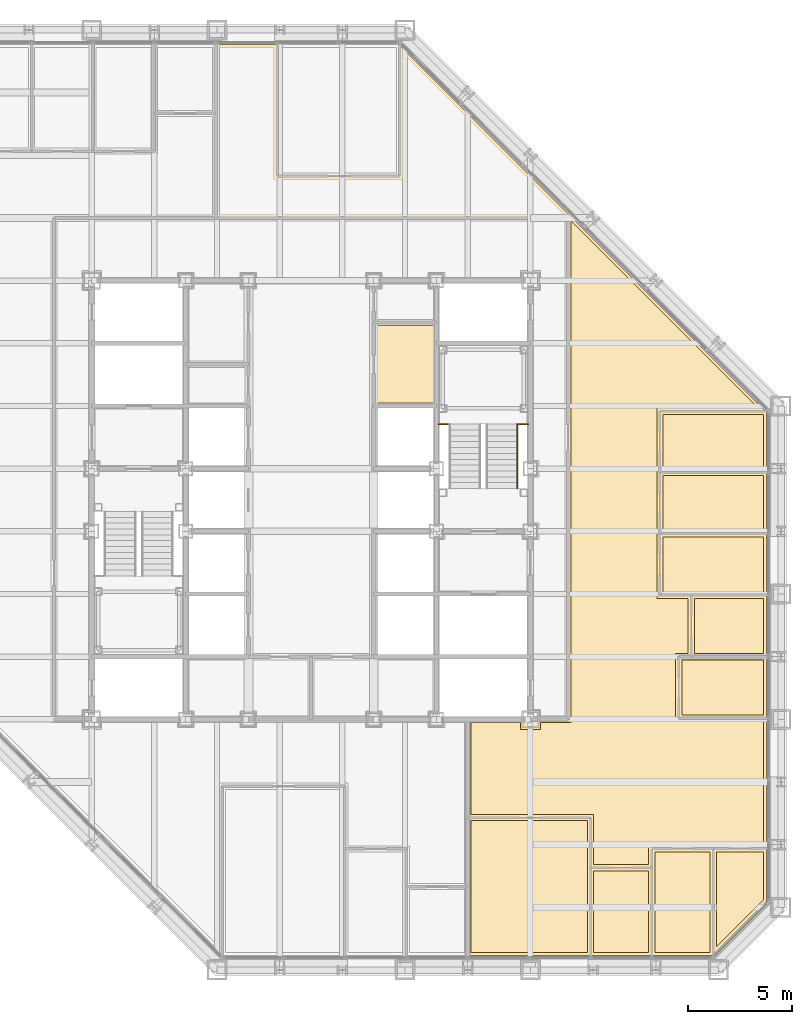
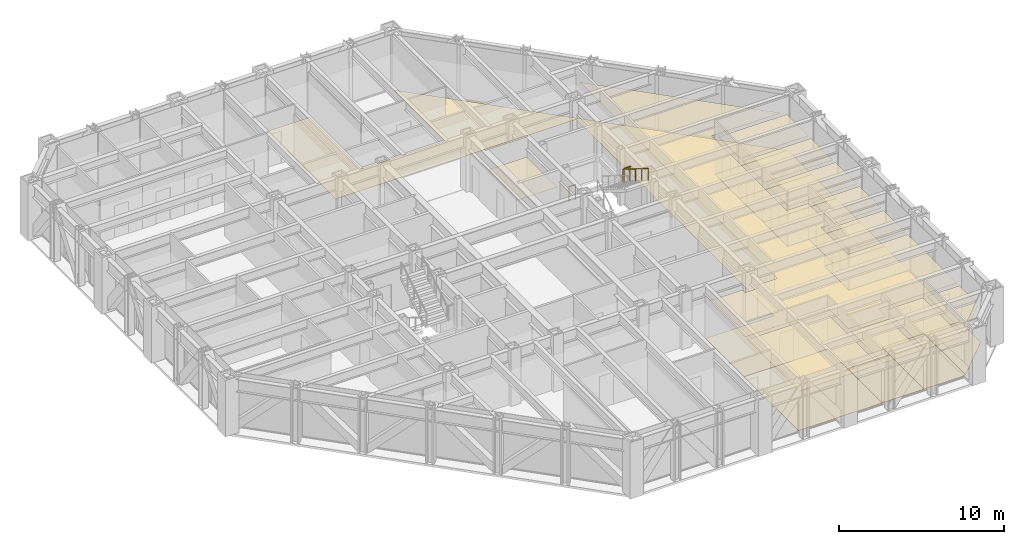
# One storey, part 15 of 16: 21 coverings, 3 railings.
"""IFC4 building model written with IfcOpenShell, lengths in metres."""

from ifc_helpers import new_model, si_unit, direction, frame, origin, origin_2d, place, context, subcontext, project, spatial, polyline, circle, outline, extrude, material, layer, layer_set, type_object, element, save


model = new_model("IFC4")

# Units and contexts
model_context = context("Model", 3, precision=1e-05, world=origin(), true_north=direction((0.0, 1.0)))
body_context = subcontext(model_context, "Body", "Model", "MODEL_VIEW")
ifc_project = project(units=[si_unit("LENGTHUNIT", "METRE"), si_unit("AREAUNIT", "SQUARE_METRE"), si_unit("VOLUMEUNIT", "CUBIC_METRE"), si_unit("PLANEANGLEUNIT", "RADIAN"), si_unit("MASSUNIT", "GRAM", prefix="KILO")], contexts=[model_context])

# Site, building, storey
site_placement = place(None, origin())
site = spatial("IfcSite", under=ifc_project, at=site_placement, CompositionType="ELEMENT")
building_placement = place(site_placement, origin())
building = spatial("IfcBuilding", under=site, at=building_placement, Name="Chuquiago Exchange Tower", CompositionType="ELEMENT")
storey_placement = place(building_placement, frame((0.0, 0.0, 123.60009765625)))
storey = spatial("IfcBuildingStorey", under=building, at=storey_placement, Name="L26", CompositionType="ELEMENT", Elevation=123.60009765625)

# Coverings
ifc_material_1 = material(Name="Mineral fibre tile, 600 x 600, on pale metal grid", Category="mineral fibre")
ifc_layer_1 = layer(ifc_material_1, 0.02001953125)
ifc_layer_set_1 = layer_set([ifc_layer_1], Name="CL1 suspended tile ceiling 20")
covering_type_1 = type_object("IfcCoveringType", Name="CL1 suspended tile ceiling 20", PredefinedType="CEILING", material=ifc_layer_set_1)
covering_1_placement = place(storey_placement, frame((0.0, 0.0, 2.7998046875)))
element("IfcCovering", 1, at=covering_1_placement, inside=storey, type_object=covering_type_1, Name="Ceiling Market data room", PredefinedType="CEILING", context=body_context, shape_type="SweptSolid", body=[
    extrude(outline(polyline([(30.14990234375, 7.14990234375), (35.7255859375, 7.14990234375), (35.7255859375, 0.85009765625), (30.14990234375, 0.85009765625), (30.14990234375, 7.14990234375)])), origin(), (0.0, 0.0, 1.0), 0.02001953125),
])
covering_2_placement = place(storey_placement, frame((0.0, 0.0, 2.7998046875)))
element("IfcCovering", 2, at=covering_2_placement, inside=storey, type_object=covering_type_1, Name="Ceiling Comms room", PredefinedType="CEILING", context=body_context, shape_type="SweptSolid", body=[
    extrude(outline(polyline([(36.025634765625, 4.75), (38.66357421875, 4.75), (38.66357421875, 0.85009765625), (36.025634765625, 0.85009765625), (36.025634765625, 4.75)])), origin(), (0.0, 0.0, 1.0), 0.02001953125),
])
covering_3_placement = place(storey_placement, frame((0.0, 0.0, 2.7998046875)))
element("IfcCovering", 3, at=covering_3_placement, inside=storey, type_object=covering_type_1, Name="Ceiling Office", PredefinedType="CEILING", context=body_context, shape_type="SweptSolid", body=[
    extrude(outline(polyline([(38.963623046875, 0.85009765625), (38.963623046875, 5.64990234375), (41.6015625, 5.64990234375), (41.6015625, 0.85009765625), (38.963623046875, 0.85009765625)])), origin(), (0.0, 0.0, 1.0), 0.02001953125),
])
covering_4_placement = place(storey_placement, frame((0.0, 0.0, 2.7998046875)))
element("IfcCovering", 4, at=covering_4_placement, inside=storey, type_object=covering_type_1, Name="Ceiling Office", PredefinedType="CEILING", context=body_context, shape_type="SweptSolid", body=[
    extrude(outline(polyline([(41.901611328125, 1.103515625), (41.901611328125, 5.64990234375), (44.14990234375, 5.64990234375), (44.14990234375, 3.35205078125), (41.901611328125, 1.103515625)])), origin(), (0.0, 0.0, 1.0), 0.02001953125),
])
covering_5_placement = place(storey_placement, frame((0.0, 0.0, 2.7998046875)))
element("IfcCovering", 5, at=covering_5_placement, inside=storey, type_object=covering_type_1, Name="Ceiling Comms room", PredefinedType="CEILING", context=body_context, shape_type="SweptSolid", body=[
    extrude(outline(polyline([(40.25, 12.212158203125), (40.25, 14.85009765625), (44.14990234375, 14.85009765625), (44.14990234375, 12.212158203125), (40.25, 12.212158203125)])), origin(), (0.0, 0.0, 1.0), 0.02001953125),
])
covering_6_placement = place(storey_placement, frame((0.0, 0.0, 2.7998046875)))
element("IfcCovering", 6, at=covering_6_placement, inside=storey, type_object=covering_type_1, Name="Ceiling Store", PredefinedType="CEILING", context=body_context, shape_type="SweptSolid", body=[
    extrude(outline(polyline([(40.85009765625, 15.14990234375), (40.85009765625, 17.787841796875), (44.14990234375, 17.787841796875), (44.14990234375, 15.14990234375), (40.85009765625, 15.14990234375)])), origin(), (0.0, 0.0, 1.0), 0.02001953125),
])
covering_7_placement = place(storey_placement, frame((0.0, 0.0, 2.7998046875)))
element("IfcCovering", 7, at=covering_7_placement, inside=storey, type_object=covering_type_1, Name="Ceiling Office", PredefinedType="CEILING", context=body_context, shape_type="SweptSolid", body=[
    extrude(outline(polyline([(39.35009765625, 18.087890625), (39.35009765625, 20.7255859375), (44.14990234375, 20.7255859375), (44.14990234375, 18.087890625), (39.35009765625, 18.087890625)])), origin(), (0.0, 0.0, 1.0), 0.02001953125),
])
covering_8_placement = place(storey_placement, frame((0.0, 0.0, 2.7998046875)))
element("IfcCovering", 8, at=covering_8_placement, inside=storey, type_object=covering_type_1, Name="Ceiling Office", PredefinedType="CEILING", context=body_context, shape_type="SweptSolid", body=[
    extrude(outline(polyline([(39.35009765625, 21.025634765625), (39.35009765625, 23.66357421875), (44.14990234375, 23.66357421875), (44.14990234375, 21.025634765625), (39.35009765625, 21.025634765625)])), origin(), (0.0, 0.0, 1.0), 0.02001953125),
])
covering_9_placement = place(storey_placement, frame((0.0, 0.0, 2.7998046875)))
element("IfcCovering", 9, at=covering_9_placement, inside=storey, type_object=covering_type_1, Name="Ceiling Office", PredefinedType="CEILING", context=body_context, shape_type="SweptSolid", body=[
    extrude(outline(polyline([(44.14990234375, 23.963623046875), (39.35009765625, 23.963623046875), (39.35009765625, 26.6015625), (44.14990234375, 26.6015625), (44.14990234375, 23.963623046875)])), origin(), (0.0, 0.0, 1.0), 0.02001953125),
])
covering_10_placement = place(storey_placement, frame((0.0, 0.0, 2.7998046875)))
element("IfcCovering", 10, at=covering_10_placement, inside=storey, type_object=covering_type_1, Name="Ceiling Open office east suite", PredefinedType="CEILING", context=body_context, shape_type="SweptSolid", body=[
    extrude(outline(polyline([(43.896484375, 26.901611328125), (39.050048828125, 26.901611328125), (39.050048828125, 17.787841796875), (40.550048828125, 17.787841796875), (40.550048828125, 15.14990234375), (39.949951171875, 15.14990234375), (39.949951171875, 11.912109375), (44.14990234375, 11.912109375), (44.14990234375, 5.949951171875), (38.66357421875, 5.949951171875), (38.66357421875, 5.050048828125), (36.025634765625, 5.050048828125), (36.025634765625, 7.449951171875), (30.150390625, 7.449951171875), (30.150390625, 11.85009765625), (32.52490234375, 11.849853515625), (32.52490234375, 11.52490234375), (33.47509765625, 11.52490234375), (33.47509765625, 11.849853515625), (34.950439453125, 11.849853515625), (34.950439453125, 35.847412109375), (43.896484375, 26.901611328125)])), origin(), (0.0, 0.0, 1.0), 0.02001953125),
])
ifc_material_2 = material(Name="Moisture resistant plasterboard on metal frame", Category="gypsum")
ifc_layer_2 = layer(ifc_material_2, 0.014892578125)
ifc_layer_set_2 = layer_set([ifc_layer_2], Name="CL2 moisture resistant ceiling 15")
covering_type_2 = type_object("IfcCoveringType", Name="CL2 moisture resistant ceiling 15", PredefinedType="CEILING", material=ifc_layer_set_2)
covering_11_placement = place(storey_placement, frame((0.0, 0.0, 2.599853515625)))
element("IfcCovering", 11, at=covering_11_placement, inside=storey, type_object=covering_type_2, Name="Ceiling Female WC", PredefinedType="CEILING", context=body_context, shape_type="SweptSolid", body=[
    extrude(outline(polyline([(25.64990234375, 27.14990234375), (25.64990234375, 30.85009765625), (28.35009765625, 30.85009765625), (28.35009765625, 27.14990234375), (25.64990234375, 27.14990234375)])), origin(), (0.0, 0.0, 1.0), 0.01513671875),
])
ifc_material_3 = material(Name="Carpet tile, 500 x 500, on the floor slab", Category="textile")
ifc_layer_3 = layer(ifc_material_3, 0.010009765625)
ifc_layer_set_3 = layer_set([ifc_layer_3], Name="FL1 carpet tile 10")
covering_type_3 = type_object("IfcCoveringType", Name="FL1 carpet tile 10", PredefinedType="FLOORING", material=ifc_layer_set_3)
covering_12_placement = place(storey_placement, origin())
element("IfcCovering", 12, at=covering_12_placement, inside=storey, type_object=covering_type_3, Name="Floor finish Market data room", PredefinedType="FLOORING", context=body_context, shape_type="SweptSolid", body=[
    extrude(outline(polyline([(30.0, 0.699951171875), (30.0, 7.300048828125), (35.875732421875, 7.300048828125), (35.875732421875, 0.699951171875), (30.0, 0.699951171875)])), origin(), (0.0, 0.0, 1.0), 0.010009765625),
])
covering_13_placement = place(storey_placement, origin())
element("IfcCovering", 13, at=covering_13_placement, inside=storey, type_object=covering_type_3, Name="Floor finish Office", PredefinedType="FLOORING", context=body_context, shape_type="SweptSolid", body=[
    extrude(outline(polyline([(41.710205078125, 0.699951171875), (38.813720703125, 0.699951171875), (38.813720703125, 5.800048828125), (41.75146484375, 5.800048828125), (41.75146484375, 0.741455078125), (41.710205078125, 0.699951171875)])), origin(), (0.0, 0.0, 1.0), 0.010009765625),
])
covering_14_placement = place(storey_placement, origin())
element("IfcCovering", 14, at=covering_14_placement, inside=storey, type_object=covering_type_3, Name="Floor finish Office", PredefinedType="FLOORING", context=body_context, shape_type="SweptSolid", body=[
    extrude(outline(polyline([(44.300048828125, 3.289794921875), (41.75146484375, 0.741455078125), (41.75146484375, 5.800048828125), (44.300048828125, 5.800048828125), (44.300048828125, 3.289794921875)])), origin(), (0.0, 0.0, 1.0), 0.010009765625),
])
covering_15_placement = place(storey_placement, origin())
element("IfcCovering", 15, at=covering_15_placement, inside=storey, type_object=covering_type_3, Name="Floor finish Office", PredefinedType="FLOORING", context=body_context, shape_type="SweptSolid", body=[
    extrude(outline(polyline([(44.300048828125, 17.93798828125), (39.199951171875, 17.93798828125), (39.199951171875, 20.875732421875), (44.300048828125, 20.875732421875), (44.300048828125, 17.93798828125)])), origin(), (0.0, 0.0, 1.0), 0.010009765625),
])
covering_16_placement = place(storey_placement, origin())
element("IfcCovering", 16, at=covering_16_placement, inside=storey, type_object=covering_type_3, Name="Floor finish Office", PredefinedType="FLOORING", context=body_context, shape_type="SweptSolid", body=[
    extrude(outline(polyline([(44.300048828125, 20.875732421875), (39.199951171875, 20.875732421875), (39.199951171875, 23.813720703125), (44.300048828125, 23.813720703125), (44.300048828125, 20.875732421875)])), origin(), (0.0, 0.0, 1.0), 0.010009765625),
])
covering_17_placement = place(storey_placement, origin())
element("IfcCovering", 17, at=covering_17_placement, inside=storey, type_object=covering_type_3, Name="Floor finish Office", PredefinedType="FLOORING", context=body_context, shape_type="SweptSolid", body=[
    extrude(outline(polyline([(44.300048828125, 26.710205078125), (44.300048828125, 23.813720703125), (39.199951171875, 23.813720703125), (39.199951171875, 26.75146484375), (44.258544921875, 26.75146484375), (44.300048828125, 26.710205078125)])), origin(), (0.0, 0.0, 1.0), 0.010009765625),
])
covering_18_placement = place(storey_placement, origin())
element("IfcCovering", 18, at=covering_18_placement, inside=storey, type_object=covering_type_3, Name="Floor finish Open office east suite", PredefinedType="FLOORING", context=body_context, shape_type="SweptSolid", body=[
    extrude(outline(polyline([(20.875732421875, 44.300048828125), (20.875732421875, 38.0), (26.75146484375, 38.0), (26.75146484375, 44.258544921875), (44.258544921875, 26.75146484375), (39.199951171875, 26.75146484375), (39.199951171875, 17.93798828125), (40.699951171875, 17.93798828125), (40.699951171875, 15.0), (40.10009765625, 15.0), (40.10009765625, 12.06201171875), (44.300048828125, 12.06201171875), (44.300048828125, 5.800048828125), (38.813720703125, 5.800048828125), (38.813720703125, 4.89990234375), (35.875732421875, 4.89990234375), (35.875732421875, 7.300048828125), (30.00048828125, 7.300048828125), (30.00048828125, 12.0), (34.800537109375, 12.0), (34.800537109375, 36.0), (17.9384765625, 36.00048828125), (17.9384765625, 44.300048828125), (20.875732421875, 44.300048828125)])), origin(), (0.0, 0.0, 1.0), 0.010009765625),
])
ifc_material_4 = material(Name="Porcelain floor tile, 600 x 600, on adhesive bed", Category="ceramic")
ifc_layer_4 = layer(ifc_material_4, 0.014892578125)
ifc_layer_set_4 = layer_set([ifc_layer_4], Name="FL2 porcelain tile 15")
covering_type_4 = type_object("IfcCoveringType", Name="FL2 porcelain tile 15", PredefinedType="FLOORING", material=ifc_layer_set_4)
covering_19_placement = place(storey_placement, origin())
element("IfcCovering", 19, at=covering_19_placement, inside=storey, type_object=covering_type_4, Name="Floor finish Comms room", PredefinedType="FLOORING", context=body_context, shape_type="SweptSolid", body=[
    extrude(outline(polyline([(35.875732421875, 0.699951171875), (35.875732421875, 4.89990234375), (38.813720703125, 4.89990234375), (38.813720703125, 0.699951171875), (35.875732421875, 0.699951171875)])), origin(), (0.0, 0.0, 1.0), 0.014892578125),
])
covering_20_placement = place(storey_placement, origin())
element("IfcCovering", 20, at=covering_20_placement, inside=storey, type_object=covering_type_4, Name="Floor finish Comms room", PredefinedType="FLOORING", context=body_context, shape_type="SweptSolid", body=[
    extrude(outline(polyline([(44.300048828125, 12.06201171875), (40.10009765625, 12.06201171875), (40.10009765625, 15.0), (44.300048828125, 15.0), (44.300048828125, 12.06201171875)])), origin(), (0.0, 0.0, 1.0), 0.014892578125),
])
covering_21_placement = place(storey_placement, origin())
element("IfcCovering", 21, at=covering_21_placement, inside=storey, type_object=covering_type_4, Name="Floor finish Store", PredefinedType="FLOORING", context=body_context, shape_type="SweptSolid", body=[
    extrude(outline(polyline([(44.300048828125, 15.0), (40.699951171875, 15.0), (40.699951171875, 17.93798828125), (44.300048828125, 17.93798828125), (44.300048828125, 15.0)])), origin(), (0.0, 0.0, 1.0), 0.014892578125),
])

# Railings
ifc_material_5 = material(Name="Pale metal guard with safety glass infill", Category="glass")
railing_type_1 = type_object("IfcRailingType", Name="GR1 guard 1100", PredefinedType="GUARDRAIL", material=ifc_material_5)
for number, where, name in (
    (22, (28.60009765625, 26.1298828125, 2.099853515625), "Guard ST2 L26 landing 2"),
    (23, (32.445068359375, 26.1298828125, 2.099853515625), "Guard ST2 L26 landing 2"),
):
    element("IfcRailing", number, at=place(storey_placement, frame(where)), inside=storey, type_object=railing_type_1, Name=name, PredefinedType="GUARDRAIL", context=body_context, shape_type="SweptSolid", body=[
        extrude(circle(Radius=0.02392578125, at=origin_2d()), frame((0.0, 0.0, 1.076171875), z_axis=(1.0, 0.0, 0.0), x_axis=(0.0, 1.0, 0.0)), (0.0, 0.0, 1.0), 0.454833984375),
        extrude(circle(Radius=0.02099609375, at=origin_2d()), origin(), (0.0, 0.0, 1.0), 1.052001953125),
        extrude(circle(Radius=0.02099609375, at=origin_2d()), frame((0.454833984375, 0.0, 0.0)), (0.0, 0.0, 1.0), 1.052001953125),
    ])
ifc_material_6 = material(Name="Pale metal handrail", Category="steel")
railing_type_2 = type_object("IfcRailingType", Name="HR1 handrail 900", PredefinedType="HANDRAIL", material=ifc_material_6)
railing_placement = place(storey_placement, frame((32.364990234375, 26.1298828125, 2.27490234375)))
element("IfcRailing", 24, at=railing_placement, inside=storey, type_object=railing_type_2, Name="Handrail ST2 L26 flight 2", PredefinedType="HANDRAIL", context=body_context, shape_type="SweptSolid", body=[
    extrude(circle(Radius=0.02392578125, at=origin_2d()), frame((0.0, 0.0, 0.8759765625), z_axis=(0.0, -0.847979421464, 0.530029150871), x_axis=(1.0, 0.0, 0.0)), (0.0, 0.0, 1.0), 3.632080078125),
    extrude(circle(Radius=0.02099609375, at=origin_2d()), origin(), (0.0, 0.0, 1.0), 0.851806640625),
    extrude(circle(Radius=0.02099609375, at=origin_2d()), frame((0.0, -0.77001953125, 0.481201171875)), (0.0, 0.0, 1.0), 0.851806640625),
    extrude(circle(Radius=0.02099609375, at=origin_2d()), frame((0.0, -1.5400390625, 0.96240234375)), (0.0, 0.0, 1.0), 0.851806640625),
    extrude(circle(Radius=0.02099609375, at=origin_2d()), frame((0.0, -2.309814453125, 1.44384765625)), (0.0, 0.0, 1.0), 0.851806640625),
    extrude(circle(Radius=0.02099609375, at=origin_2d()), frame((0.0, -3.079833984375, 1.925048828125)), (0.0, 0.0, 1.0), 0.851806640625),
])

save(model, "model.ifc")
